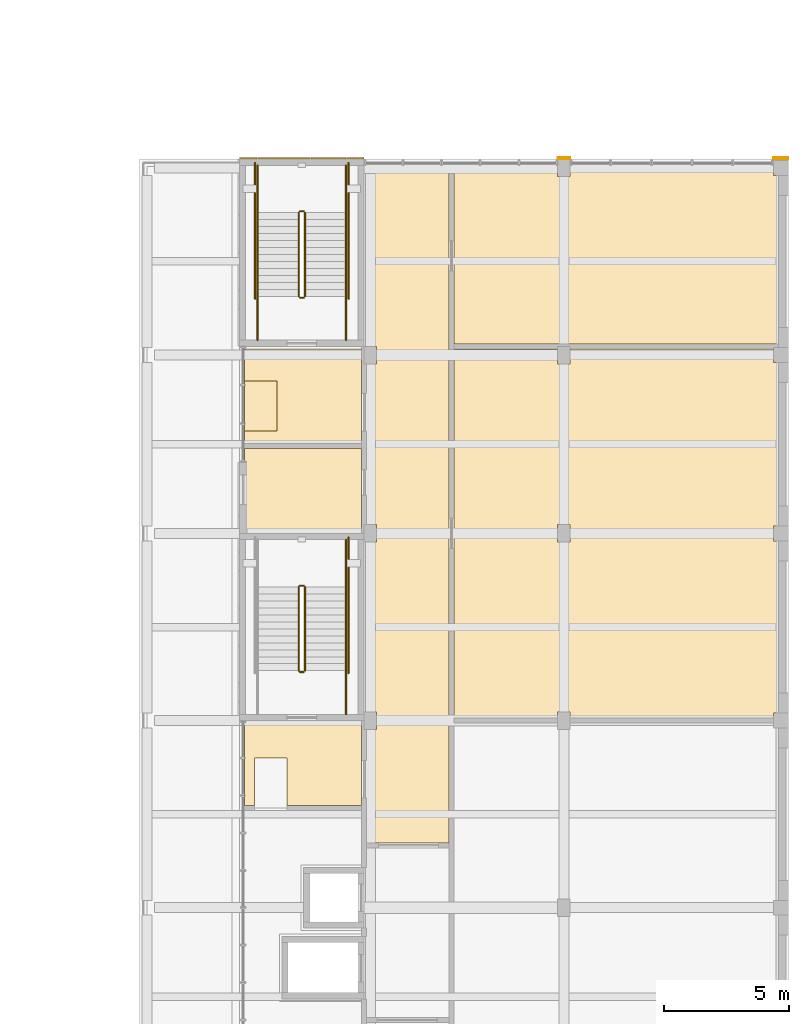
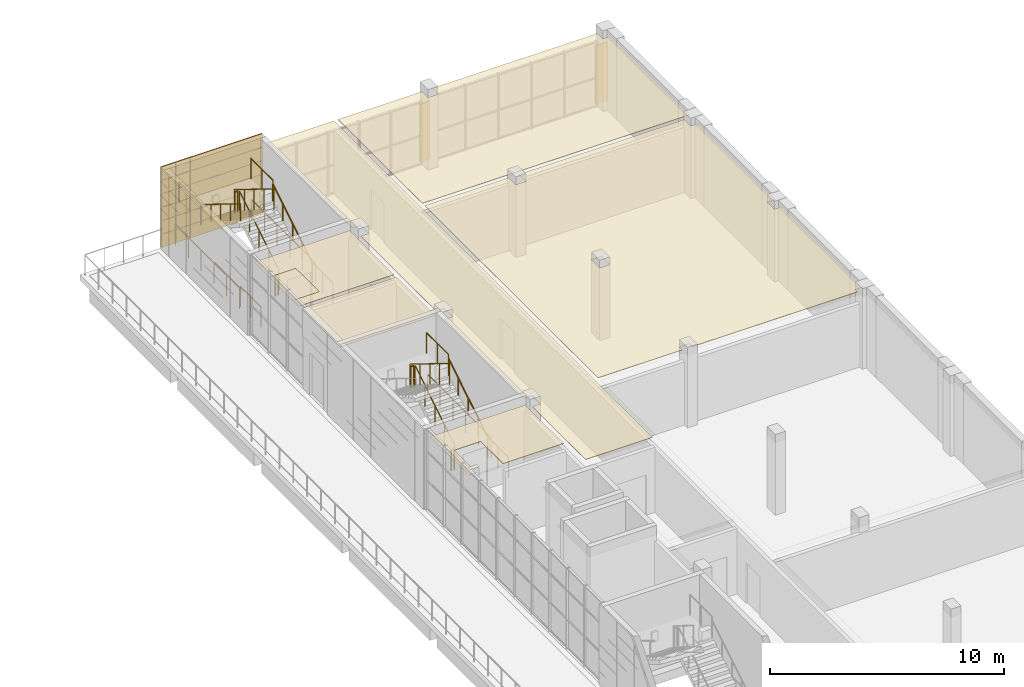
# One storey, part 36 of 36: 20 railings, 9 coverings.
"""IFC4 building model written with IfcOpenShell, lengths in metres."""

from ifc_helpers import new_model, si_unit, direction, frame, origin, origin_2d, place, context, subcontext, project, spatial, polyline, rectangle, circle, outline, extrude, material, layer, layer_set, type_object, element, save


model = new_model("IFC4")

# Units and contexts
model_context = context("Model", 3, precision=1e-05, world=origin(), true_north=direction((0.0, 1.0)))
body_context = subcontext(model_context, "Body", "Model", "MODEL_VIEW")
ifc_project = project(units=[si_unit("LENGTHUNIT", "METRE"), si_unit("AREAUNIT", "SQUARE_METRE"), si_unit("VOLUMEUNIT", "CUBIC_METRE"), si_unit("PLANEANGLEUNIT", "RADIAN"), si_unit("MASSUNIT", "GRAM", prefix="KILO")], contexts=[model_context])

# Site, building, storey
site_placement = place(None, origin())
site = spatial("IfcSite", under=ifc_project, at=site_placement, CompositionType="ELEMENT")
building_placement = place(site_placement, origin())
building = spatial("IfcBuilding", under=site, at=building_placement, Name="Sun Court Science Centre", CompositionType="ELEMENT")
storey_placement = place(building_placement, frame((0.0, 0.0, 24.75)))
storey = spatial("IfcBuildingStorey", under=building, at=storey_placement, Name="L05", CompositionType="ELEMENT", Elevation=24.75)

# Coverings
ifc_material_1 = material(Name="Gypsum board")
ifc_layer_1 = layer(ifc_material_1, 0.030029296875)
ifc_layer_set_1 = layer_set([ifc_layer_1], Name="Gypsum board")
covering_type_1 = type_object("IfcCoveringType", Name="Ceiling suspended 600 module", PredefinedType="CEILING", material=ifc_layer_set_1)
covering_1_placement = place(storey_placement, frame((0.0, 0.0, 3.77001953125)))
element("IfcCovering", 1, at=covering_1_placement, inside=storey, type_object=covering_type_1, Name="L05-007 ceiling", PredefinedType="CEILING", context=body_context, shape_type="SweptSolid", body=[
    extrude(outline(polyline([(90.39990234375, 80.800048828125), (90.39990234375, 53.60009765625), (87.10009765625, 53.60009765625), (87.10009765625, 58.14990234375), (87.5, 58.14990234375), (87.5, 58.85009765625), (87.10009765625, 58.85009765625), (87.10009765625, 65.64990234375), (87.5, 65.64990234375), (87.5, 66.35009765625), (87.10009765625, 66.35009765625), (87.10009765625, 72.800048828125), (87.5, 72.800048828125), (87.5, 73.5), (87.10009765625, 73.5), (87.10009765625, 80.800048828125), (90.39990234375, 80.800048828125)])), origin(), (0.0, 0.0, 1.0), 0.030029296875),
])
covering_2_placement = place(storey_placement, frame((0.0, 0.0, 3.77001953125)))
element("IfcCovering", 2, at=covering_2_placement, inside=storey, type_object=covering_type_1, Name="L05-010 ceiling", PredefinedType="CEILING", context=body_context, shape_type="SweptSolid", body=[
    extrude(outline(polyline([(83.89990234375, 57.0), (82.60009765625, 57.0), (82.60009765625, 55.10009765625), (82.199951171875, 55.10009765625), (82.199951171875, 58.39990234375), (86.89990234375, 58.39990234375), (86.89990234375, 55.10009765625), (83.89990234375, 55.10009765625), (83.89990234375, 57.0)])), origin(), (0.0, 0.0, 1.0), 0.030029296875),
])
covering_3_placement = place(storey_placement, frame((0.0, 0.0, 3.77001953125)))
element("IfcCovering", 3, at=covering_3_placement, inside=storey, type_object=covering_type_1, Name="L05-011 ceiling", PredefinedType="CEILING", context=body_context, shape_type="SweptSolid", body=[
    extrude(outline(polyline([(82.199951171875, 70.10009765625), (83.5, 70.10009765625), (83.5, 72.10009765625), (82.199951171875, 72.10009765625), (82.199951171875, 73.39990234375), (86.89990234375, 73.39990234375), (86.89990234375, 69.60009765625), (82.199951171875, 69.60009765625), (82.199951171875, 70.10009765625)])), origin(), (0.0, 0.0, 1.0), 0.030029296875),
])
covering_4_placement = place(storey_placement, frame((0.0, 0.0, 3.77001953125)))
element("IfcCovering", 4, at=covering_4_placement, inside=storey, type_object=covering_type_1, Name="L05-014 ceiling", PredefinedType="CEILING", context=body_context, shape_type="SweptSolid", body=[
    extrude(outline(polyline([(82.199951171875, 69.39990234375), (86.89990234375, 69.39990234375), (86.89990234375, 66.10009765625), (82.199951171875, 66.10009765625), (82.199951171875, 69.39990234375)])), origin(), (0.0, 0.0, 1.0), 0.030029296875),
])
covering_5_placement = place(storey_placement, frame((0.0, 0.0, 3.77001953125)))
element("IfcCovering", 5, at=covering_5_placement, inside=storey, type_object=covering_type_1, Name="L05-017 ceiling", PredefinedType="CEILING", context=body_context, shape_type="SweptSolid", body=[
    extrude(outline(polyline([(95.25, 58.60009765625), (95.25, 58.85009765625), (94.75, 58.85009765625), (94.75, 58.60009765625), (90.60009765625, 58.60009765625), (90.60009765625, 73.39990234375), (94.75, 73.39990234375), (94.75, 72.800048828125), (95.25, 72.800048828125), (95.25, 73.39990234375), (103.39990234375, 73.39990234375), (103.39990234375, 72.85009765625), (103.800048828125, 72.85009765625), (103.800048828125, 66.300048828125), (103.39990234375, 66.300048828125), (103.39990234375, 65.699951171875), (103.800048828125, 65.699951171875), (103.800048828125, 58.800048828125), (103.39990234375, 58.800048828125), (103.39990234375, 58.60009765625), (95.25, 58.60009765625)]), holes=[polyline([(94.75, 66.35009765625), (94.75, 65.64990234375), (95.25, 65.64990234375), (95.25, 66.35009765625), (94.75, 66.35009765625)])]), origin(), (0.0, 0.0, 1.0), 0.030029296875),
])
covering_6_placement = place(storey_placement, frame((0.0, 0.0, 3.77001953125)))
element("IfcCovering", 6, at=covering_6_placement, inside=storey, type_object=covering_type_1, Name="L05-018 ceiling", PredefinedType="CEILING", context=body_context, shape_type="SweptSolid", body=[
    extrude(outline(polyline([(103.800048828125, 80.35009765625), (103.800048828125, 73.60009765625), (90.60009765625, 73.60009765625), (90.60009765625, 80.800048828125), (94.75, 80.800048828125), (94.75, 80.300048828125), (95.25, 80.300048828125), (95.25, 80.800048828125), (103.39990234375, 80.800048828125), (103.39990234375, 80.35009765625), (103.800048828125, 80.35009765625)])), origin(), (0.0, 0.0, 1.0), 0.030029296875),
])
covering_7_placement = place(storey_placement, frame((0.0, 0.0, 3.77001953125)))
element("IfcCovering", 7, at=covering_7_placement, inside=storey, type_object=covering_type_1, Name="L05-021 ceiling", PredefinedType="CEILING", context=body_context, shape_type="SweptSolid", body=[
    extrude(outline(polyline([(83.5, 72.10009765625), (83.5, 70.10009765625), (82.199951171875, 70.10009765625), (82.199951171875, 72.10009765625), (83.5, 72.10009765625)])), origin(), (0.0, 0.0, 1.0), 0.030029296875),
])

# Railings
ifc_material_2 = material(Name="Steel S275", Category="steel")
railing_type_1 = type_object("IfcRailingType", Name="Guard 1100 steel balustrade", PredefinedType="GUARDRAIL", material=ifc_material_2)
railing_1_placement = place(storey_placement, frame((84.625, 60.498046875, 0.173095703125)))
element("IfcRailing", 8, at=railing_1_placement, inside=storey, type_object=railing_type_1, Name="L05 SL3 stair guard 1", PredefinedType="GUARDRAIL", context=body_context, shape_type="SweptSolid", body=[
    extrude(circle(Radius=0.02392578125, at=origin_2d()), frame((0.0, 0.0, 1.076171875), z_axis=(0.0, 0.850606129759, 0.525803396734), x_axis=(-1.0, 0.0, 0.0)), (0.0, 0.0, 1.0), 3.949951171875),
    extrude(circle(Radius=0.02099609375, at=origin_2d()), origin(), (0.0, 0.0, 1.0), 1.052001953125),
    extrude(circle(Radius=0.02099609375, at=origin_2d()), frame((0.0, 0.83984375, 0.519287109375)), (0.0, 0.0, 1.0), 1.052001953125),
    extrude(circle(Radius=0.02099609375, at=origin_2d()), frame((0.0, 1.679931640625, 1.03857421875)), (0.0, 0.0, 1.0), 1.052001953125),
    extrude(circle(Radius=0.02099609375, at=origin_2d()), frame((0.0, 2.52001953125, 1.5576171875)), (0.0, 0.0, 1.0), 1.052001953125),
    extrude(circle(Radius=0.02099609375, at=origin_2d()), frame((0.0, 3.35986328125, 2.076904296875)), (0.0, 0.0, 1.0), 1.052001953125),
])
railing_2_placement = place(storey_placement, frame((84.574951171875, 63.907958984375, 2.25)))
element("IfcRailing", 9, at=railing_2_placement, inside=storey, type_object=railing_type_1, Name="L05 SL3 stair guard 2", PredefinedType="GUARDRAIL", context=body_context, shape_type="SweptSolid", body=[
    extrude(circle(Radius=0.02392578125, at=origin_2d()), frame((0.0, 0.0, 1.076171875), z_axis=(-1.0, 0.0, 0.0), x_axis=(0.0, -1.0, 0.0)), (0.0, 0.0, 1.0), 0.14990234375),
    extrude(circle(Radius=0.02099609375, at=origin_2d()), origin(), (0.0, 0.0, 1.0), 1.052001953125),
    extrude(circle(Radius=0.02099609375, at=origin_2d()), frame((-0.14990234375, 0.0, 0.0)), (0.0, 0.0, 1.0), 1.052001953125),
])
railing_3_placement = place(storey_placement, frame((86.27294921875, 63.85791015625, 2.25)))
element("IfcRailing", 10, at=railing_3_placement, inside=storey, type_object=railing_type_1, Name="L05 SL3 stair guard 3", PredefinedType="GUARDRAIL", context=body_context, shape_type="SweptSolid", body=[
    extrude(circle(Radius=0.02392578125, at=origin_2d()), frame((0.0, 0.0, 1.076171875), z_axis=(0.0, 1.0, 0.0), x_axis=(-1.0, 0.0, 0.0)), (0.0, 0.0, 1.0), 1.89208984375),
    extrude(circle(Radius=0.02099609375, at=origin_2d()), origin(), (0.0, 0.0, 1.0), 1.052001953125),
    extrude(circle(Radius=0.02099609375, at=origin_2d()), frame((0.0, 0.946044921875, 0.0)), (0.0, 0.0, 1.0), 1.052001953125),
    extrude(circle(Radius=0.02099609375, at=origin_2d()), frame((0.0, 1.89208984375, 0.0)), (0.0, 0.0, 1.0), 1.052001953125),
])
railing_4_placement = place(storey_placement, frame((84.375, 63.85791015625, 2.423095703125)))
element("IfcRailing", 11, at=railing_4_placement, inside=storey, type_object=railing_type_1, Name="L05 SL3 stair guard 5", PredefinedType="GUARDRAIL", context=body_context, shape_type="SweptSolid", body=[
    extrude(circle(Radius=0.02392578125, at=origin_2d()), frame((0.0, 0.0, 1.076171875), z_axis=(0.0, -0.850606129759, 0.525803396734), x_axis=(1.0, 0.0, 0.0)), (0.0, 0.0, 1.0), 3.949951171875),
    extrude(circle(Radius=0.02099609375, at=origin_2d()), origin(), (0.0, 0.0, 1.0), 1.052001953125),
    extrude(circle(Radius=0.02099609375, at=origin_2d()), frame((0.0, -0.83984375, 0.519287109375)), (0.0, 0.0, 1.0), 1.052001953125),
    extrude(circle(Radius=0.02099609375, at=origin_2d()), frame((0.0, -1.679931640625, 1.03857421875)), (0.0, 0.0, 1.0), 1.052001953125),
    extrude(circle(Radius=0.02099609375, at=origin_2d()), frame((0.0, -2.52001953125, 1.5576171875)), (0.0, 0.0, 1.0), 1.052001953125),
    extrude(circle(Radius=0.02099609375, at=origin_2d()), frame((0.0, -3.35986328125, 2.076904296875)), (0.0, 0.0, 1.0), 1.052001953125),
])
railing_5_placement = place(storey_placement, frame((84.574951171875, 60.447998046875, 0.0)))
element("IfcRailing", 12, at=railing_5_placement, inside=storey, type_object=railing_type_1, Name="L05 SL3 stair guard 6", PredefinedType="GUARDRAIL", context=body_context, shape_type="SweptSolid", body=[
    extrude(circle(Radius=0.02392578125, at=origin_2d()), frame((0.0, 0.0, 1.076171875), z_axis=(-1.0, 0.0, 0.0), x_axis=(0.0, -1.0, 0.0)), (0.0, 0.0, 1.0), 0.14990234375),
    extrude(circle(Radius=0.02099609375, at=origin_2d()), origin(), (0.0, 0.0, 1.0), 1.052001953125),
    extrude(circle(Radius=0.02099609375, at=origin_2d()), frame((-0.14990234375, 0.0, 0.0)), (0.0, 0.0, 1.0), 1.052001953125),
])
railing_6_placement = place(storey_placement, frame((86.27294921875, 58.75, 0.0)))
element("IfcRailing", 13, at=railing_6_placement, inside=storey, type_object=railing_type_1, Name="L05 SL3 stair guard 7", PredefinedType="GUARDRAIL", context=body_context, shape_type="SweptSolid", body=[
    extrude(circle(Radius=0.02392578125, at=origin_2d()), frame((0.0, 0.0, 1.076171875), z_axis=(0.0, 1.0, 0.0), x_axis=(-1.0, 0.0, 0.0)), (0.0, 0.0, 1.0), 1.748046875),
    extrude(circle(Radius=0.02099609375, at=origin_2d()), origin(), (0.0, 0.0, 1.0), 1.052001953125),
    extrude(circle(Radius=0.02099609375, at=origin_2d()), frame((0.0, 0.8740234375, 0.0)), (0.0, 0.0, 1.0), 1.052001953125),
    extrude(circle(Radius=0.02099609375, at=origin_2d()), frame((0.0, 1.748046875, 0.0)), (0.0, 0.0, 1.0), 1.052001953125),
])
railing_7_placement = place(storey_placement, frame((86.373046875, 60.39794921875, 0.0)))
element("IfcRailing", 14, at=railing_7_placement, inside=storey, type_object=railing_type_1, Name="L05 SL3 stair guard 9", PredefinedType="GUARDRAIL", context=body_context, shape_type="SweptSolid", body=[
    extrude(circle(Radius=0.02392578125, at=origin_2d()), frame((0.0, 0.0, 1.076171875), z_axis=(0.0, 1.0, 0.0), x_axis=(-1.0, 0.0, 0.0)), (0.0, 0.0, 1.0), 5.4521484375),
    extrude(circle(Radius=0.02099609375, at=origin_2d()), origin(), (0.0, 0.0, 1.0), 1.052001953125),
    extrude(circle(Radius=0.02099609375, at=origin_2d()), frame((0.0, 1.09033203125, 0.0)), (0.0, 0.0, 1.0), 1.052001953125),
    extrude(circle(Radius=0.02099609375, at=origin_2d()), frame((0.0, 2.180908203125, 0.0)), (0.0, 0.0, 1.0), 1.052001953125),
    extrude(circle(Radius=0.02099609375, at=origin_2d()), frame((0.0, 3.271240234375, 0.0)), (0.0, 0.0, 1.0), 1.052001953125),
    extrude(circle(Radius=0.02099609375, at=origin_2d()), frame((0.0, 4.36181640625, 0.0)), (0.0, 0.0, 1.0), 1.052001953125),
    extrude(circle(Radius=0.02099609375, at=origin_2d()), frame((0.0, 5.4521484375, 0.0)), (0.0, 0.0, 1.0), 1.052001953125),
])
railing_8_placement = place(storey_placement, frame((84.625, 75.498046875, 0.173095703125)))
element("IfcRailing", 15, at=railing_8_placement, inside=storey, type_object=railing_type_1, Name="L05 SL4 stair guard 1", PredefinedType="GUARDRAIL", context=body_context, shape_type="SweptSolid", body=[
    extrude(circle(Radius=0.02392578125, at=origin_2d()), frame((0.0, 0.0, 1.076171875), z_axis=(0.0, 0.850606129759, 0.525803396734), x_axis=(-1.0, 0.0, 0.0)), (0.0, 0.0, 1.0), 3.949951171875),
    extrude(circle(Radius=0.02099609375, at=origin_2d()), origin(), (0.0, 0.0, 1.0), 1.052001953125),
    extrude(circle(Radius=0.02099609375, at=origin_2d()), frame((0.0, 0.83984375, 0.519287109375)), (0.0, 0.0, 1.0), 1.052001953125),
    extrude(circle(Radius=0.02099609375, at=origin_2d()), frame((0.0, 1.679931640625, 1.03857421875)), (0.0, 0.0, 1.0), 1.052001953125),
    extrude(circle(Radius=0.02099609375, at=origin_2d()), frame((0.0, 2.52001953125, 1.5576171875)), (0.0, 0.0, 1.0), 1.052001953125),
    extrude(circle(Radius=0.02099609375, at=origin_2d()), frame((0.0, 3.35986328125, 2.076904296875)), (0.0, 0.0, 1.0), 1.052001953125),
])
railing_9_placement = place(storey_placement, frame((84.574951171875, 78.907958984375, 2.25)))
element("IfcRailing", 16, at=railing_9_placement, inside=storey, type_object=railing_type_1, Name="L05 SL4 stair guard 2", PredefinedType="GUARDRAIL", context=body_context, shape_type="SweptSolid", body=[
    extrude(circle(Radius=0.02392578125, at=origin_2d()), frame((0.0, 0.0, 1.076171875), z_axis=(-1.0, 0.0, 0.0), x_axis=(0.0, -1.0, 0.0)), (0.0, 0.0, 1.0), 0.14990234375),
    extrude(circle(Radius=0.02099609375, at=origin_2d()), origin(), (0.0, 0.0, 1.0), 1.052001953125),
    extrude(circle(Radius=0.02099609375, at=origin_2d()), frame((-0.14990234375, 0.0, 0.0)), (0.0, 0.0, 1.0), 1.052001953125),
])
for number, where, name in (
    (17, (86.27294921875, 78.85791015625, 2.25), "L05 SL4 stair guard 3"),
    (18, (82.72705078125, 78.85791015625, 2.25), "L05 SL4 stair guard 4"),
):
    element("IfcRailing", number, at=place(storey_placement, frame(where)), inside=storey, type_object=railing_type_1, Name=name, PredefinedType="GUARDRAIL", context=body_context, shape_type="SweptSolid", body=[
        extrude(circle(Radius=0.02392578125, at=origin_2d()), frame((0.0, 0.0, 1.076171875), z_axis=(0.0, 1.0, 0.0), x_axis=(-1.0, 0.0, 0.0)), (0.0, 0.0, 1.0), 1.89208984375),
        extrude(circle(Radius=0.02099609375, at=origin_2d()), origin(), (0.0, 0.0, 1.0), 1.052001953125),
        extrude(circle(Radius=0.02099609375, at=origin_2d()), frame((0.0, 0.946044921875, 0.0)), (0.0, 0.0, 1.0), 1.052001953125),
        extrude(circle(Radius=0.02099609375, at=origin_2d()), frame((0.0, 1.89208984375, 0.0)), (0.0, 0.0, 1.0), 1.052001953125),
    ])
railing_10_placement = place(storey_placement, frame((84.375, 78.85791015625, 2.423095703125)))
element("IfcRailing", 19, at=railing_10_placement, inside=storey, type_object=railing_type_1, Name="L05 SL4 stair guard 5", PredefinedType="GUARDRAIL", context=body_context, shape_type="SweptSolid", body=[
    extrude(circle(Radius=0.02392578125, at=origin_2d()), frame((0.0, 0.0, 1.076171875), z_axis=(0.0, -0.850606129759, 0.525803396734), x_axis=(1.0, 0.0, 0.0)), (0.0, 0.0, 1.0), 3.949951171875),
    extrude(circle(Radius=0.02099609375, at=origin_2d()), origin(), (0.0, 0.0, 1.0), 1.052001953125),
    extrude(circle(Radius=0.02099609375, at=origin_2d()), frame((0.0, -0.83984375, 0.519287109375)), (0.0, 0.0, 1.0), 1.052001953125),
    extrude(circle(Radius=0.02099609375, at=origin_2d()), frame((0.0, -1.679931640625, 1.03857421875)), (0.0, 0.0, 1.0), 1.052001953125),
    extrude(circle(Radius=0.02099609375, at=origin_2d()), frame((0.0, -2.52001953125, 1.5576171875)), (0.0, 0.0, 1.0), 1.052001953125),
    extrude(circle(Radius=0.02099609375, at=origin_2d()), frame((0.0, -3.35986328125, 2.076904296875)), (0.0, 0.0, 1.0), 1.052001953125),
])
railing_11_placement = place(storey_placement, frame((84.574951171875, 75.447998046875, 0.0)))
element("IfcRailing", 20, at=railing_11_placement, inside=storey, type_object=railing_type_1, Name="L05 SL4 stair guard 6", PredefinedType="GUARDRAIL", context=body_context, shape_type="SweptSolid", body=[
    extrude(circle(Radius=0.02392578125, at=origin_2d()), frame((0.0, 0.0, 1.076171875), z_axis=(-1.0, 0.0, 0.0), x_axis=(0.0, -1.0, 0.0)), (0.0, 0.0, 1.0), 0.14990234375),
    extrude(circle(Radius=0.02099609375, at=origin_2d()), origin(), (0.0, 0.0, 1.0), 1.052001953125),
    extrude(circle(Radius=0.02099609375, at=origin_2d()), frame((-0.14990234375, 0.0, 0.0)), (0.0, 0.0, 1.0), 1.052001953125),
])
for number, where, name in (
    (21, (86.27294921875, 73.75, 0.0), "L05 SL4 stair guard 7"),
    (22, (82.72705078125, 73.75, 0.0), "L05 SL4 stair guard 8"),
):
    element("IfcRailing", number, at=place(storey_placement, frame(where)), inside=storey, type_object=railing_type_1, Name=name, PredefinedType="GUARDRAIL", context=body_context, shape_type="SweptSolid", body=[
        extrude(circle(Radius=0.02392578125, at=origin_2d()), frame((0.0, 0.0, 1.076171875), z_axis=(0.0, 1.0, 0.0), x_axis=(-1.0, 0.0, 0.0)), (0.0, 0.0, 1.0), 1.748046875),
        extrude(circle(Radius=0.02099609375, at=origin_2d()), origin(), (0.0, 0.0, 1.0), 1.052001953125),
        extrude(circle(Radius=0.02099609375, at=origin_2d()), frame((0.0, 0.8740234375, 0.0)), (0.0, 0.0, 1.0), 1.052001953125),
        extrude(circle(Radius=0.02099609375, at=origin_2d()), frame((0.0, 1.748046875, 0.0)), (0.0, 0.0, 1.0), 1.052001953125),
    ])
for number, where, name in (
    (23, (86.373046875, 75.39794921875, 0.0), "L05 SL4 stair guard 9"),
    (24, (82.626953125, 75.39794921875, 0.0), "L05 SL4 stair guard 10"),
):
    element("IfcRailing", number, at=place(storey_placement, frame(where)), inside=storey, type_object=railing_type_1, Name=name, PredefinedType="GUARDRAIL", context=body_context, shape_type="SweptSolid", body=[
        extrude(circle(Radius=0.02392578125, at=origin_2d()), frame((0.0, 0.0, 1.076171875), z_axis=(0.0, 1.0, 0.0), x_axis=(-1.0, 0.0, 0.0)), (0.0, 0.0, 1.0), 5.4521484375),
        extrude(circle(Radius=0.02099609375, at=origin_2d()), origin(), (0.0, 0.0, 1.0), 1.052001953125),
        extrude(circle(Radius=0.02099609375, at=origin_2d()), frame((0.0, 1.09033203125, 0.0)), (0.0, 0.0, 1.0), 1.052001953125),
        extrude(circle(Radius=0.02099609375, at=origin_2d()), frame((0.0, 2.180908203125, 0.0)), (0.0, 0.0, 1.0), 1.052001953125),
        extrude(circle(Radius=0.02099609375, at=origin_2d()), frame((0.0, 3.271240234375, 0.0)), (0.0, 0.0, 1.0), 1.052001953125),
        extrude(circle(Radius=0.02099609375, at=origin_2d()), frame((0.0, 4.36181640625, 0.0)), (0.0, 0.0, 1.0), 1.052001953125),
        extrude(circle(Radius=0.02099609375, at=origin_2d()), frame((0.0, 5.4521484375, 0.0)), (0.0, 0.0, 1.0), 1.052001953125),
    ])
ifc_material_3 = material(Name="Stainless steel", Category="steel")
railing_type_2 = type_object("IfcRailingType", Name="Handrail 900 stainless", PredefinedType="HANDRAIL", material=ifc_material_3)
for number, where, name in (
    (25, (86.27294921875, 60.498046875, 0.173095703125), "L05 SL3 stair handrail 1"),
    (26, (86.27294921875, 75.498046875, 0.173095703125), "L05 SL4 stair handrail 1"),
):
    element("IfcRailing", number, at=place(storey_placement, frame(where)), inside=storey, type_object=railing_type_2, Name=name, PredefinedType="HANDRAIL", context=body_context, shape_type="SweptSolid", body=[
        extrude(circle(Radius=0.02392578125, at=origin_2d()), frame((0.0, 0.0, 0.8759765625), z_axis=(0.0, 0.850606129759, 0.525803396734), x_axis=(-1.0, 0.0, 0.0)), (0.0, 0.0, 1.0), 3.949951171875),
        extrude(circle(Radius=0.02099609375, at=origin_2d()), origin(), (0.0, 0.0, 1.0), 0.851806640625),
        extrude(circle(Radius=0.02099609375, at=origin_2d()), frame((0.0, 0.83984375, 0.519287109375)), (0.0, 0.0, 1.0), 0.851806640625),
        extrude(circle(Radius=0.02099609375, at=origin_2d()), frame((0.0, 1.679931640625, 1.03857421875)), (0.0, 0.0, 1.0), 0.851806640625),
        extrude(circle(Radius=0.02099609375, at=origin_2d()), frame((0.0, 2.52001953125, 1.5576171875)), (0.0, 0.0, 1.0), 0.851806640625),
        extrude(circle(Radius=0.02099609375, at=origin_2d()), frame((0.0, 3.35986328125, 2.076904296875)), (0.0, 0.0, 1.0), 0.851806640625),
    ])
railing_12_placement = place(storey_placement, frame((82.72705078125, 78.85791015625, 2.423095703125)))
element("IfcRailing", 27, at=railing_12_placement, inside=storey, type_object=railing_type_2, Name="L05 SL4 stair handrail 2", PredefinedType="HANDRAIL", context=body_context, shape_type="SweptSolid", body=[
    extrude(circle(Radius=0.02392578125, at=origin_2d()), frame((0.0, 0.0, 0.8759765625), z_axis=(0.0, -0.850606129759, 0.525803396734), x_axis=(1.0, 0.0, 0.0)), (0.0, 0.0, 1.0), 3.949951171875),
    extrude(circle(Radius=0.02099609375, at=origin_2d()), origin(), (0.0, 0.0, 1.0), 0.851806640625),
    extrude(circle(Radius=0.02099609375, at=origin_2d()), frame((0.0, -0.83984375, 0.519287109375)), (0.0, 0.0, 1.0), 0.851806640625),
    extrude(circle(Radius=0.02099609375, at=origin_2d()), frame((0.0, -1.679931640625, 1.03857421875)), (0.0, 0.0, 1.0), 0.851806640625),
    extrude(circle(Radius=0.02099609375, at=origin_2d()), frame((0.0, -2.52001953125, 1.5576171875)), (0.0, 0.0, 1.0), 0.851806640625),
    extrude(circle(Radius=0.02099609375, at=origin_2d()), frame((0.0, -3.35986328125, 2.076904296875)), (0.0, 0.0, 1.0), 0.851806640625),
])

# Coverings
ifc_material_4 = material(Name="Red sandstone", Category="masonry")
ifc_layer_2 = layer(ifc_material_4, 0.080078125)
ifc_layer_set_2 = layer_set([ifc_layer_2], Name="Red sandstone")
covering_type_2 = type_object("IfcCoveringType", Name="Red sandstone pier cladding", PredefinedType="CLADDING", material=ifc_layer_set_2)
covering_8_placement = place(storey_placement, frame((0.0, 0.0, -24.75)))
element("IfcCovering", 28, at=covering_8_placement, inside=storey, type_object=covering_type_2, Name="Red sandstone pier cladding north face L05", PredefinedType="CLADDING", context=body_context, shape_type="SweptSolid", body=[
    extrude(rectangle(XDim=0.5, YDim=0.080078125, at=origin_2d()), frame((95.0, 81.0400390625, 24.75), z_axis=(0.0, 0.0, 1.0), x_axis=(1.0, 0.0, 0.0)), (0.0, 0.0, 1.0), 3.0),
    extrude(rectangle(XDim=0.60009765625, YDim=0.080078125, at=origin_2d()), frame((103.699951171875, 81.0400390625, 24.75), z_axis=(0.0, 0.0, 1.0), x_axis=(1.0, 0.0, 0.0)), (0.0, 0.0, 1.0), 3.0),
])
ifc_material_5 = material(Name="Red sandstone", Category="masonry")
ifc_layer_3 = layer(ifc_material_5, 0.06005859375)
ifc_layer_set_3 = layer_set([ifc_layer_3], Name="Red sandstone")
covering_type_3 = type_object("IfcCoveringType", Name="Red sandstone wall cladding 750", PredefinedType="CLADDING", material=ifc_layer_set_3)
covering_9_placement = place(storey_placement, frame((0.0, 0.0, -24.75)))
element("IfcCovering", 29, at=covering_9_placement, inside=storey, type_object=covering_type_3, Name="Red sandstone wall cladding north face L05", PredefinedType="CLADDING", context=body_context, shape_type="SweptSolid", body=[
    extrude(rectangle(XDim=0.704345703125, YDim=0.06005859375, at=origin_2d()), frame((82.357177734375, 81.030029296875, 24.755126953125), z_axis=(0.0, 0.0, 1.0), x_axis=(1.0, 0.0, 0.0)), (0.0, 0.0, 1.0), 0.68994140625),
    extrude(rectangle(XDim=0.704345703125, YDim=0.06005859375, at=origin_2d()), frame((83.071533203125, 81.030029296875, 24.755126953125), z_axis=(0.0, 0.0, 1.0), x_axis=(1.0, 0.0, 0.0)), (0.0, 0.0, 1.0), 0.68994140625),
    extrude(rectangle(XDim=0.704345703125, YDim=0.06005859375, at=origin_2d()), frame((83.78564453125, 81.030029296875, 24.755126953125), z_axis=(0.0, 0.0, 1.0), x_axis=(1.0, 0.0, 0.0)), (0.0, 0.0, 1.0), 0.68994140625),
    extrude(rectangle(XDim=0.704345703125, YDim=0.06005859375, at=origin_2d()), frame((84.5, 81.030029296875, 24.755126953125), z_axis=(0.0, 0.0, 1.0), x_axis=(1.0, 0.0, 0.0)), (0.0, 0.0, 1.0), 0.68994140625),
    extrude(rectangle(XDim=0.704345703125, YDim=0.06005859375, at=origin_2d()), frame((85.21435546875, 81.030029296875, 24.755126953125), z_axis=(0.0, 0.0, 1.0), x_axis=(1.0, 0.0, 0.0)), (0.0, 0.0, 1.0), 0.68994140625),
    extrude(rectangle(XDim=0.704345703125, YDim=0.06005859375, at=origin_2d()), frame((85.928466796875, 81.030029296875, 24.755126953125), z_axis=(0.0, 0.0, 1.0), x_axis=(1.0, 0.0, 0.0)), (0.0, 0.0, 1.0), 0.68994140625),
    extrude(rectangle(XDim=0.704345703125, YDim=0.06005859375, at=origin_2d()), frame((86.642822265625, 81.030029296875, 24.755126953125), z_axis=(0.0, 0.0, 1.0), x_axis=(1.0, 0.0, 0.0)), (0.0, 0.0, 1.0), 0.68994140625),
    extrude(rectangle(XDim=0.704345703125, YDim=0.06005859375, at=origin_2d()), frame((82.357177734375, 81.030029296875, 25.455078125), z_axis=(0.0, 0.0, 1.0), x_axis=(1.0, 0.0, 0.0)), (0.0, 0.0, 1.0), 0.68994140625),
    extrude(rectangle(XDim=0.704345703125, YDim=0.06005859375, at=origin_2d()), frame((83.071533203125, 81.030029296875, 25.455078125), z_axis=(0.0, 0.0, 1.0), x_axis=(1.0, 0.0, 0.0)), (0.0, 0.0, 1.0), 0.68994140625),
    extrude(rectangle(XDim=0.704345703125, YDim=0.06005859375, at=origin_2d()), frame((83.78564453125, 81.030029296875, 25.455078125), z_axis=(0.0, 0.0, 1.0), x_axis=(1.0, 0.0, 0.0)), (0.0, 0.0, 1.0), 0.68994140625),
    extrude(rectangle(XDim=0.704345703125, YDim=0.06005859375, at=origin_2d()), frame((84.5, 81.030029296875, 25.455078125), z_axis=(0.0, 0.0, 1.0), x_axis=(1.0, 0.0, 0.0)), (0.0, 0.0, 1.0), 0.68994140625),
    extrude(rectangle(XDim=0.704345703125, YDim=0.06005859375, at=origin_2d()), frame((85.21435546875, 81.030029296875, 25.455078125), z_axis=(0.0, 0.0, 1.0), x_axis=(1.0, 0.0, 0.0)), (0.0, 0.0, 1.0), 0.68994140625),
    extrude(rectangle(XDim=0.704345703125, YDim=0.06005859375, at=origin_2d()), frame((85.928466796875, 81.030029296875, 25.455078125), z_axis=(0.0, 0.0, 1.0), x_axis=(1.0, 0.0, 0.0)), (0.0, 0.0, 1.0), 0.68994140625),
    extrude(rectangle(XDim=0.704345703125, YDim=0.06005859375, at=origin_2d()), frame((86.642822265625, 81.030029296875, 25.455078125), z_axis=(0.0, 0.0, 1.0), x_axis=(1.0, 0.0, 0.0)), (0.0, 0.0, 1.0), 0.68994140625),
    extrude(rectangle(XDim=0.704345703125, YDim=0.06005859375, at=origin_2d()), frame((82.357177734375, 81.030029296875, 26.155029296875), z_axis=(0.0, 0.0, 1.0), x_axis=(1.0, 0.0, 0.0)), (0.0, 0.0, 1.0), 0.68994140625),
    extrude(rectangle(XDim=0.704345703125, YDim=0.06005859375, at=origin_2d()), frame((83.071533203125, 81.030029296875, 26.155029296875), z_axis=(0.0, 0.0, 1.0), x_axis=(1.0, 0.0, 0.0)), (0.0, 0.0, 1.0), 0.68994140625),
    extrude(rectangle(XDim=0.704345703125, YDim=0.06005859375, at=origin_2d()), frame((83.78564453125, 81.030029296875, 26.155029296875), z_axis=(0.0, 0.0, 1.0), x_axis=(1.0, 0.0, 0.0)), (0.0, 0.0, 1.0), 0.68994140625),
    extrude(rectangle(XDim=0.704345703125, YDim=0.06005859375, at=origin_2d()), frame((84.5, 81.030029296875, 26.155029296875), z_axis=(0.0, 0.0, 1.0), x_axis=(1.0, 0.0, 0.0)), (0.0, 0.0, 1.0), 0.68994140625),
    extrude(rectangle(XDim=0.704345703125, YDim=0.06005859375, at=origin_2d()), frame((85.21435546875, 81.030029296875, 26.155029296875), z_axis=(0.0, 0.0, 1.0), x_axis=(1.0, 0.0, 0.0)), (0.0, 0.0, 1.0), 0.68994140625),
    extrude(rectangle(XDim=0.704345703125, YDim=0.06005859375, at=origin_2d()), frame((85.928466796875, 81.030029296875, 26.155029296875), z_axis=(0.0, 0.0, 1.0), x_axis=(1.0, 0.0, 0.0)), (0.0, 0.0, 1.0), 0.68994140625),
    extrude(rectangle(XDim=0.704345703125, YDim=0.06005859375, at=origin_2d()), frame((86.642822265625, 81.030029296875, 26.155029296875), z_axis=(0.0, 0.0, 1.0), x_axis=(1.0, 0.0, 0.0)), (0.0, 0.0, 1.0), 0.68994140625),
    extrude(rectangle(XDim=0.704345703125, YDim=0.06005859375, at=origin_2d()), frame((82.357177734375, 81.030029296875, 26.85498046875), z_axis=(0.0, 0.0, 1.0), x_axis=(1.0, 0.0, 0.0)), (0.0, 0.0, 1.0), 0.68994140625),
    extrude(rectangle(XDim=0.704345703125, YDim=0.06005859375, at=origin_2d()), frame((83.071533203125, 81.030029296875, 26.85498046875), z_axis=(0.0, 0.0, 1.0), x_axis=(1.0, 0.0, 0.0)), (0.0, 0.0, 1.0), 0.68994140625),
    extrude(rectangle(XDim=0.704345703125, YDim=0.06005859375, at=origin_2d()), frame((83.78564453125, 81.030029296875, 26.85498046875), z_axis=(0.0, 0.0, 1.0), x_axis=(1.0, 0.0, 0.0)), (0.0, 0.0, 1.0), 0.68994140625),
    extrude(rectangle(XDim=0.704345703125, YDim=0.06005859375, at=origin_2d()), frame((84.5, 81.030029296875, 26.85498046875), z_axis=(0.0, 0.0, 1.0), x_axis=(1.0, 0.0, 0.0)), (0.0, 0.0, 1.0), 0.68994140625),
    extrude(rectangle(XDim=0.704345703125, YDim=0.06005859375, at=origin_2d()), frame((85.21435546875, 81.030029296875, 26.85498046875), z_axis=(0.0, 0.0, 1.0), x_axis=(1.0, 0.0, 0.0)), (0.0, 0.0, 1.0), 0.68994140625),
    extrude(rectangle(XDim=0.704345703125, YDim=0.06005859375, at=origin_2d()), frame((85.928466796875, 81.030029296875, 26.85498046875), z_axis=(0.0, 0.0, 1.0), x_axis=(1.0, 0.0, 0.0)), (0.0, 0.0, 1.0), 0.68994140625),
    extrude(rectangle(XDim=0.704345703125, YDim=0.06005859375, at=origin_2d()), frame((86.642822265625, 81.030029296875, 26.85498046875), z_axis=(0.0, 0.0, 1.0), x_axis=(1.0, 0.0, 0.0)), (0.0, 0.0, 1.0), 0.68994140625),
    extrude(rectangle(XDim=0.704345703125, YDim=0.06005859375, at=origin_2d()), frame((82.357177734375, 81.030029296875, 27.554931640625), z_axis=(0.0, 0.0, 1.0), x_axis=(1.0, 0.0, 0.0)), (0.0, 0.0, 1.0), 0.68994140625),
    extrude(rectangle(XDim=0.704345703125, YDim=0.06005859375, at=origin_2d()), frame((83.071533203125, 81.030029296875, 27.554931640625), z_axis=(0.0, 0.0, 1.0), x_axis=(1.0, 0.0, 0.0)), (0.0, 0.0, 1.0), 0.68994140625),
    extrude(rectangle(XDim=0.704345703125, YDim=0.06005859375, at=origin_2d()), frame((83.78564453125, 81.030029296875, 27.554931640625), z_axis=(0.0, 0.0, 1.0), x_axis=(1.0, 0.0, 0.0)), (0.0, 0.0, 1.0), 0.68994140625),
    extrude(rectangle(XDim=0.704345703125, YDim=0.06005859375, at=origin_2d()), frame((84.5, 81.030029296875, 27.554931640625), z_axis=(0.0, 0.0, 1.0), x_axis=(1.0, 0.0, 0.0)), (0.0, 0.0, 1.0), 0.68994140625),
    extrude(rectangle(XDim=0.704345703125, YDim=0.06005859375, at=origin_2d()), frame((85.21435546875, 81.030029296875, 27.554931640625), z_axis=(0.0, 0.0, 1.0), x_axis=(1.0, 0.0, 0.0)), (0.0, 0.0, 1.0), 0.68994140625),
    extrude(rectangle(XDim=0.704345703125, YDim=0.06005859375, at=origin_2d()), frame((85.928466796875, 81.030029296875, 27.554931640625), z_axis=(0.0, 0.0, 1.0), x_axis=(1.0, 0.0, 0.0)), (0.0, 0.0, 1.0), 0.68994140625),
    extrude(rectangle(XDim=0.704345703125, YDim=0.06005859375, at=origin_2d()), frame((86.642822265625, 81.030029296875, 27.554931640625), z_axis=(0.0, 0.0, 1.0), x_axis=(1.0, 0.0, 0.0)), (0.0, 0.0, 1.0), 0.68994140625),
    extrude(rectangle(XDim=0.704345703125, YDim=0.06005859375, at=origin_2d()), frame((82.357177734375, 81.030029296875, 28.255126953125), z_axis=(0.0, 0.0, 1.0), x_axis=(1.0, 0.0, 0.0)), (0.0, 0.0, 1.0), 0.68994140625),
    extrude(rectangle(XDim=0.704345703125, YDim=0.06005859375, at=origin_2d()), frame((83.071533203125, 81.030029296875, 28.255126953125), z_axis=(0.0, 0.0, 1.0), x_axis=(1.0, 0.0, 0.0)), (0.0, 0.0, 1.0), 0.68994140625),
    extrude(rectangle(XDim=0.704345703125, YDim=0.06005859375, at=origin_2d()), frame((83.78564453125, 81.030029296875, 28.255126953125), z_axis=(0.0, 0.0, 1.0), x_axis=(1.0, 0.0, 0.0)), (0.0, 0.0, 1.0), 0.68994140625),
    extrude(rectangle(XDim=0.704345703125, YDim=0.06005859375, at=origin_2d()), frame((84.5, 81.030029296875, 28.255126953125), z_axis=(0.0, 0.0, 1.0), x_axis=(1.0, 0.0, 0.0)), (0.0, 0.0, 1.0), 0.68994140625),
    extrude(rectangle(XDim=0.704345703125, YDim=0.06005859375, at=origin_2d()), frame((85.21435546875, 81.030029296875, 28.255126953125), z_axis=(0.0, 0.0, 1.0), x_axis=(1.0, 0.0, 0.0)), (0.0, 0.0, 1.0), 0.68994140625),
    extrude(rectangle(XDim=0.704345703125, YDim=0.06005859375, at=origin_2d()), frame((85.928466796875, 81.030029296875, 28.255126953125), z_axis=(0.0, 0.0, 1.0), x_axis=(1.0, 0.0, 0.0)), (0.0, 0.0, 1.0), 0.68994140625),
    extrude(rectangle(XDim=0.704345703125, YDim=0.06005859375, at=origin_2d()), frame((86.642822265625, 81.030029296875, 28.255126953125), z_axis=(0.0, 0.0, 1.0), x_axis=(1.0, 0.0, 0.0)), (0.0, 0.0, 1.0), 0.68994140625),
])

save(model, "model.ifc")
